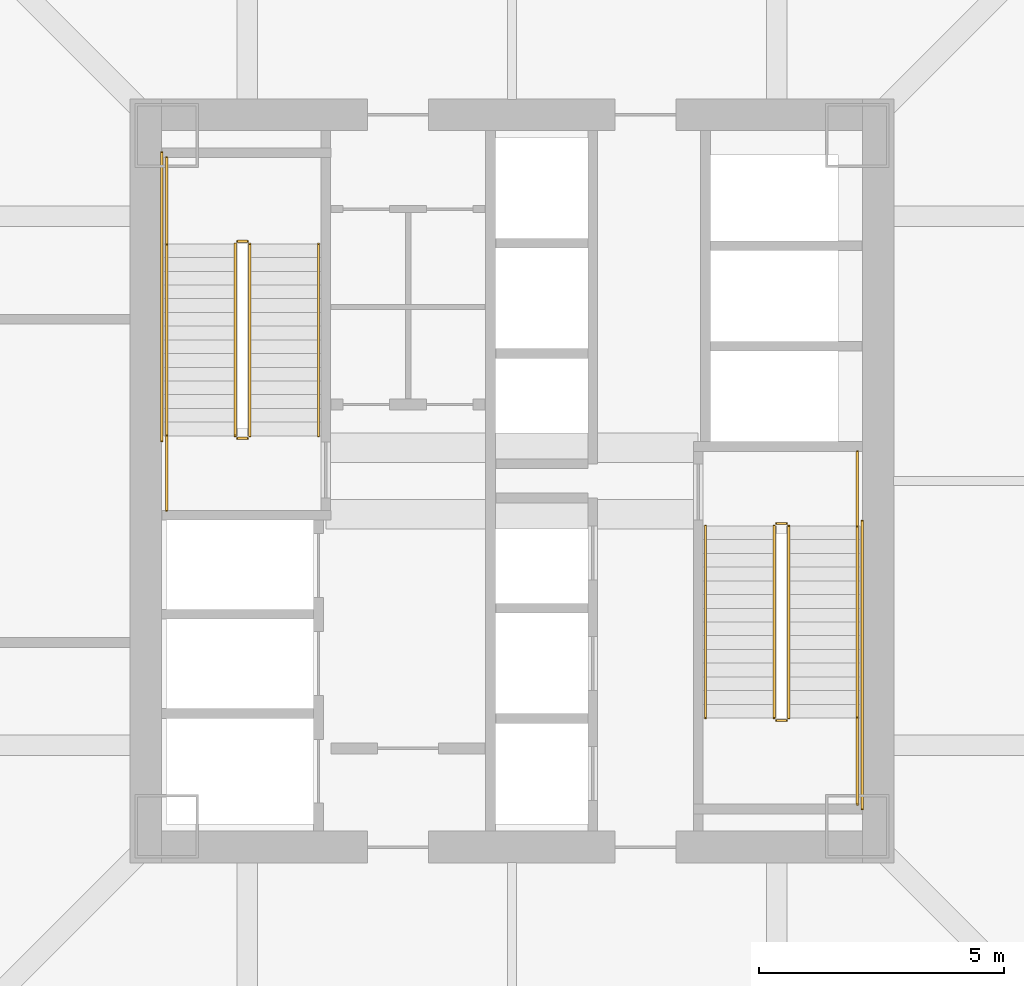
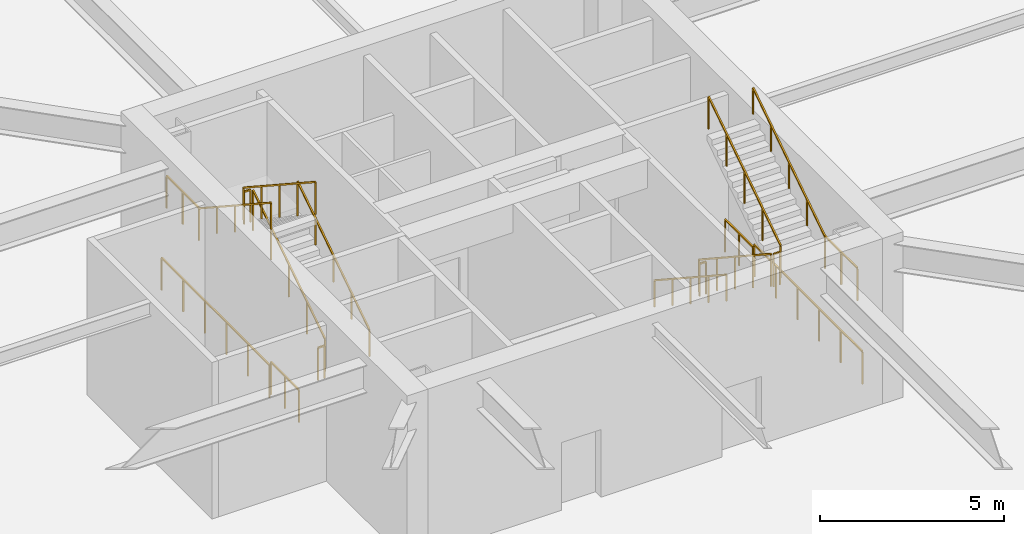
# One storey, part 14 of 17: 18 railings.
"""IFC4 building model written with IfcOpenShell, lengths in metres."""

from ifc_helpers import new_model, si_unit, direction, frame, origin, origin_2d, place, context, subcontext, project, spatial, rectangle, extrude, material, type_object, element, save


model = new_model("IFC4")

# Units and contexts
model_context = context("Model", 3, precision=1e-05, world=origin(), true_north=direction((0.0, 1.0)))
body_context = subcontext(model_context, "Body", "Model", "MODEL_VIEW")
ifc_project = project(units=[si_unit("LENGTHUNIT", "METRE"), si_unit("AREAUNIT", "SQUARE_METRE"), si_unit("VOLUMEUNIT", "CUBIC_METRE"), si_unit("PLANEANGLEUNIT", "RADIAN"), si_unit("MASSUNIT", "GRAM", prefix="KILO")], contexts=[model_context])

# Site, building, storey
site_placement = place(None, origin())
site = spatial("IfcSite", under=ifc_project, at=site_placement, CompositionType="ELEMENT")
building_placement = place(site_placement, origin())
building = spatial("IfcBuilding", under=site, at=building_placement, Name="Tashvorn Skyway Center", CompositionType="ELEMENT")
storey_placement = place(building_placement, frame((0.0, 0.0, -5.5)))
storey = spatial("IfcBuildingStorey", under=building, at=storey_placement, Name="B1", CompositionType="ELEMENT", Elevation=-5.5)

# Railings
ifc_material_1 = material(Name="Brushed stainless steel 316", Category="steel")
railing_type_1 = type_object("IfcRailingType", Name="RAIL-HAND-920", PredefinedType="HANDRAIL", material=ifc_material_1)
railing_1_placement = place(storey_placement, frame((38.050048828125, 32.919921875, 0.183349609375)))
element("IfcRailing", 1, at=railing_1_placement, inside=storey, type_object=railing_type_1, Name="B1 ST-T1-1 stair handrail 1", PredefinedType="HANDRAIL", context=body_context, shape_type="SweptSolid", body=[
    extrude(rectangle(XDim=0.048095703125, YDim=0.048095703125, at=origin_2d()), frame((0.0, 0.0, 0.8759765625), z_axis=(0.0, 0.836630751959, 0.54776727255), x_axis=(-1.0, 0.0, 0.0)), (0.0, 0.0, 1.0), 4.685546875),
    extrude(rectangle(XDim=0.0419921875, YDim=0.0419921875, at=origin_2d()), origin(), (0.0, 0.0, 1.0), 0.851806640625),
    extrude(rectangle(XDim=0.0419921875, YDim=0.0419921875, at=origin_2d()), frame((0.0, 0.97998046875, 0.6416015625)), (0.0, 0.0, 1.0), 0.851806640625),
    extrude(rectangle(XDim=0.0419921875, YDim=0.0419921875, at=origin_2d()), frame((0.0, 1.9599609375, 1.283203125)), (0.0, 0.0, 1.0), 0.851806640625),
    extrude(rectangle(XDim=0.0419921875, YDim=0.0419921875, at=origin_2d()), frame((0.0, 2.940185546875, 1.925048828125)), (0.0, 0.0, 1.0), 0.851806640625),
    extrude(rectangle(XDim=0.0419921875, YDim=0.0419921875, at=origin_2d()), frame((0.0, 3.920166015625, 2.566650390625)), (0.0, 0.0, 1.0), 0.851806640625),
])
for number, where, name in (
    (2, (34.949951171875, 36.840087890625, 2.933349609375), "B1 ST-T1-1 stair handrail 2"),
    (3, (45.949951171875, 31.080078125, 0.183349609375), "B1 ST-T1-2 stair handrail 1"),
):
    element("IfcRailing", number, at=place(storey_placement, frame(where)), inside=storey, type_object=railing_type_1, Name=name, PredefinedType="HANDRAIL", context=body_context, shape_type="SweptSolid", body=[
        extrude(rectangle(XDim=0.048095703125, YDim=0.048095703125, at=origin_2d()), frame((0.0, 0.0, 0.8759765625), z_axis=(0.0, -0.836630751959, 0.54776727255), x_axis=(1.0, 0.0, 0.0)), (0.0, 0.0, 1.0), 4.685546875),
        extrude(rectangle(XDim=0.0419921875, YDim=0.0419921875, at=origin_2d()), origin(), (0.0, 0.0, 1.0), 0.851806640625),
        extrude(rectangle(XDim=0.0419921875, YDim=0.0419921875, at=origin_2d()), frame((0.0, -0.97998046875, 0.6416015625)), (0.0, 0.0, 1.0), 0.851806640625),
        extrude(rectangle(XDim=0.0419921875, YDim=0.0419921875, at=origin_2d()), frame((0.0, -1.9599609375, 1.283203125)), (0.0, 0.0, 1.0), 0.851806640625),
        extrude(rectangle(XDim=0.0419921875, YDim=0.0419921875, at=origin_2d()), frame((0.0, -2.940185546875, 1.925048828125)), (0.0, 0.0, 1.0), 0.851806640625),
        extrude(rectangle(XDim=0.0419921875, YDim=0.0419921875, at=origin_2d()), frame((0.0, -3.920166015625, 2.566650390625)), (0.0, 0.0, 1.0), 0.851806640625),
    ])
railing_2_placement = place(storey_placement, frame((49.050048828125, 27.159912109375, 2.933349609375)))
element("IfcRailing", 4, at=railing_2_placement, inside=storey, type_object=railing_type_1, Name="B1 ST-T1-2 stair handrail 2", PredefinedType="HANDRAIL", context=body_context, shape_type="SweptSolid", body=[
    extrude(rectangle(XDim=0.048095703125, YDim=0.048095703125, at=origin_2d()), frame((0.0, 0.0, 0.8759765625), z_axis=(0.0, 0.836630751959, 0.54776727255), x_axis=(-1.0, 0.0, 0.0)), (0.0, 0.0, 1.0), 4.685546875),
    extrude(rectangle(XDim=0.0419921875, YDim=0.0419921875, at=origin_2d()), origin(), (0.0, 0.0, 1.0), 0.851806640625),
    extrude(rectangle(XDim=0.0419921875, YDim=0.0419921875, at=origin_2d()), frame((0.0, 0.97998046875, 0.6416015625)), (0.0, 0.0, 1.0), 0.851806640625),
    extrude(rectangle(XDim=0.0419921875, YDim=0.0419921875, at=origin_2d()), frame((0.0, 1.9599609375, 1.283203125)), (0.0, 0.0, 1.0), 0.851806640625),
    extrude(rectangle(XDim=0.0419921875, YDim=0.0419921875, at=origin_2d()), frame((0.0, 2.940185546875, 1.925048828125)), (0.0, 0.0, 1.0), 0.851806640625),
    extrude(rectangle(XDim=0.0419921875, YDim=0.0419921875, at=origin_2d()), frame((0.0, 3.920166015625, 2.566650390625)), (0.0, 0.0, 1.0), 0.851806640625),
])
ifc_material_2 = material(Name="Painted galvanized steel S355", Category="steel")
railing_type_2 = type_object("IfcRailingType", Name="RAIL-STGUARD-1100", PredefinedType="GUARDRAIL", material=ifc_material_2)
railing_3_placement = place(storey_placement, frame((36.64990234375, 32.919921875, 0.183349609375)))
element("IfcRailing", 5, at=railing_3_placement, inside=storey, type_object=railing_type_2, Name="B1 ST-T1-1 stair guard 1", PredefinedType="GUARDRAIL", context=body_context, shape_type="SweptSolid", body=[
    extrude(rectangle(XDim=0.048095703125, YDim=0.048095703125, at=origin_2d()), frame((0.0, 0.0, 1.076171875), z_axis=(0.0, 0.836630751959, 0.54776727255), x_axis=(-1.0, 0.0, 0.0)), (0.0, 0.0, 1.0), 4.685546875),
    extrude(rectangle(XDim=0.0419921875, YDim=0.0419921875, at=origin_2d()), origin(), (0.0, 0.0, 1.0), 1.052001953125),
    extrude(rectangle(XDim=0.0419921875, YDim=0.0419921875, at=origin_2d()), frame((0.0, 0.97998046875, 0.6416015625)), (0.0, 0.0, 1.0), 1.052001953125),
    extrude(rectangle(XDim=0.0419921875, YDim=0.0419921875, at=origin_2d()), frame((0.0, 1.9599609375, 1.283203125)), (0.0, 0.0, 1.0), 1.052001953125),
    extrude(rectangle(XDim=0.0419921875, YDim=0.0419921875, at=origin_2d()), frame((0.0, 2.940185546875, 1.925048828125)), (0.0, 0.0, 1.0), 1.052001953125),
    extrude(rectangle(XDim=0.0419921875, YDim=0.0419921875, at=origin_2d()), frame((0.0, 3.920166015625, 2.566650390625)), (0.0, 0.0, 1.0), 1.052001953125),
])
railing_4_placement = place(storey_placement, frame((36.60009765625, 36.889892578125, 2.75)))
element("IfcRailing", 6, at=railing_4_placement, inside=storey, type_object=railing_type_2, Name="B1 ST-T1-1 stair guard 2", PredefinedType="GUARDRAIL", context=body_context, shape_type="SweptSolid", body=[
    extrude(rectangle(XDim=0.048095703125, YDim=0.048095703125, at=origin_2d()), frame((0.0, 0.0, 1.076171875), z_axis=(-1.0, 0.0, 0.0), x_axis=(0.0, -1.0, 0.0)), (0.0, 0.0, 1.0), 0.2001953125),
    extrude(rectangle(XDim=0.0419921875, YDim=0.0419921875, at=origin_2d()), origin(), (0.0, 0.0, 1.0), 1.052001953125),
    extrude(rectangle(XDim=0.0419921875, YDim=0.0419921875, at=origin_2d()), frame((-0.2001953125, 0.0, 0.0)), (0.0, 0.0, 1.0), 1.052001953125),
])
railing_5_placement = place(storey_placement, frame((34.949951171875, 36.840087890625, 2.75)))
element("IfcRailing", 7, at=railing_5_placement, inside=storey, type_object=railing_type_2, Name="B1 ST-T1-1 stair guard 3", PredefinedType="GUARDRAIL", context=body_context, shape_type="SweptSolid", body=[
    extrude(rectangle(XDim=0.048095703125, YDim=0.048095703125, at=origin_2d()), frame((0.0, 0.0, 1.076171875), z_axis=(0.0, 1.0, 0.0), x_axis=(-1.0, 0.0, 0.0)), (0.0, 0.0, 1.0), 1.760009765625),
    extrude(rectangle(XDim=0.0419921875, YDim=0.0419921875, at=origin_2d()), origin(), (0.0, 0.0, 1.0), 1.052001953125),
    extrude(rectangle(XDim=0.0419921875, YDim=0.0419921875, at=origin_2d()), frame((0.0, 0.8798828125, 0.0)), (0.0, 0.0, 1.0), 1.052001953125),
    extrude(rectangle(XDim=0.0419921875, YDim=0.0419921875, at=origin_2d()), frame((0.0, 1.760009765625, 0.0)), (0.0, 0.0, 1.0), 1.052001953125),
])
railing_6_placement = place(storey_placement, frame((36.35009765625, 36.840087890625, 2.933349609375)))
element("IfcRailing", 8, at=railing_6_placement, inside=storey, type_object=railing_type_2, Name="B1 ST-T1-1 stair guard 4", PredefinedType="GUARDRAIL", context=body_context, shape_type="SweptSolid", body=[
    extrude(rectangle(XDim=0.048095703125, YDim=0.048095703125, at=origin_2d()), frame((0.0, 0.0, 1.076171875), z_axis=(0.0, -0.836630751959, 0.54776727255), x_axis=(1.0, 0.0, 0.0)), (0.0, 0.0, 1.0), 4.685546875),
    extrude(rectangle(XDim=0.0419921875, YDim=0.0419921875, at=origin_2d()), origin(), (0.0, 0.0, 1.0), 1.052001953125),
    extrude(rectangle(XDim=0.0419921875, YDim=0.0419921875, at=origin_2d()), frame((0.0, -0.97998046875, 0.6416015625)), (0.0, 0.0, 1.0), 1.052001953125),
    extrude(rectangle(XDim=0.0419921875, YDim=0.0419921875, at=origin_2d()), frame((0.0, -1.9599609375, 1.283203125)), (0.0, 0.0, 1.0), 1.052001953125),
    extrude(rectangle(XDim=0.0419921875, YDim=0.0419921875, at=origin_2d()), frame((0.0, -2.940185546875, 1.925048828125)), (0.0, 0.0, 1.0), 1.052001953125),
    extrude(rectangle(XDim=0.0419921875, YDim=0.0419921875, at=origin_2d()), frame((0.0, -3.920166015625, 2.566650390625)), (0.0, 0.0, 1.0), 1.052001953125),
])
railing_7_placement = place(storey_placement, frame((36.60009765625, 32.8701171875, 0.0)))
element("IfcRailing", 9, at=railing_7_placement, inside=storey, type_object=railing_type_2, Name="B1 ST-T1-1 stair guard 5", PredefinedType="GUARDRAIL", context=body_context, shape_type="SweptSolid", body=[
    extrude(rectangle(XDim=0.048095703125, YDim=0.048095703125, at=origin_2d()), frame((0.0, 0.0, 1.076171875), z_axis=(-1.0, 0.0, 0.0), x_axis=(0.0, -1.0, 0.0)), (0.0, 0.0, 1.0), 0.2001953125),
    extrude(rectangle(XDim=0.0419921875, YDim=0.0419921875, at=origin_2d()), origin(), (0.0, 0.0, 1.0), 1.052001953125),
    extrude(rectangle(XDim=0.0419921875, YDim=0.0419921875, at=origin_2d()), frame((-0.2001953125, 0.0, 0.0)), (0.0, 0.0, 1.0), 1.052001953125),
])
railing_8_placement = place(storey_placement, frame((34.949951171875, 31.39990234375, 0.0)))
element("IfcRailing", 10, at=railing_8_placement, inside=storey, type_object=railing_type_2, Name="B1 ST-T1-1 stair guard 6", PredefinedType="GUARDRAIL", context=body_context, shape_type="SweptSolid", body=[
    extrude(rectangle(XDim=0.048095703125, YDim=0.048095703125, at=origin_2d()), frame((0.0, 0.0, 1.076171875), z_axis=(0.0, 1.0, 0.0), x_axis=(-1.0, 0.0, 0.0)), (0.0, 0.0, 1.0), 1.52001953125),
    extrude(rectangle(XDim=0.0419921875, YDim=0.0419921875, at=origin_2d()), origin(), (0.0, 0.0, 1.0), 1.052001953125),
    extrude(rectangle(XDim=0.0419921875, YDim=0.0419921875, at=origin_2d()), frame((0.0, 0.760009765625, 0.0)), (0.0, 0.0, 1.0), 1.052001953125),
    extrude(rectangle(XDim=0.0419921875, YDim=0.0419921875, at=origin_2d()), frame((0.0, 1.52001953125, 0.0)), (0.0, 0.0, 1.0), 1.052001953125),
])
railing_9_placement = place(storey_placement, frame((34.85009765625, 32.820068359375, 0.0)))
element("IfcRailing", 11, at=railing_9_placement, inside=storey, type_object=railing_type_2, Name="B1 ST-T1-1 stair guard 7", PredefinedType="GUARDRAIL", context=body_context, shape_type="SweptSolid", body=[
    extrude(rectangle(XDim=0.048095703125, YDim=0.048095703125, at=origin_2d()), frame((0.0, 0.0, 1.076171875), z_axis=(0.0, 1.0, 0.0), x_axis=(-1.0, 0.0, 0.0)), (0.0, 0.0, 1.0), 5.8798828125),
    extrude(rectangle(XDim=0.0419921875, YDim=0.0419921875, at=origin_2d()), origin(), (0.0, 0.0, 1.0), 1.052001953125),
    extrude(rectangle(XDim=0.0419921875, YDim=0.0419921875, at=origin_2d()), frame((0.0, 1.176025390625, 0.0)), (0.0, 0.0, 1.0), 1.052001953125),
    extrude(rectangle(XDim=0.0419921875, YDim=0.0419921875, at=origin_2d()), frame((0.0, 2.35205078125, 0.0)), (0.0, 0.0, 1.0), 1.052001953125),
    extrude(rectangle(XDim=0.0419921875, YDim=0.0419921875, at=origin_2d()), frame((0.0, 3.52783203125, 0.0)), (0.0, 0.0, 1.0), 1.052001953125),
    extrude(rectangle(XDim=0.0419921875, YDim=0.0419921875, at=origin_2d()), frame((0.0, 4.703857421875, 0.0)), (0.0, 0.0, 1.0), 1.052001953125),
    extrude(rectangle(XDim=0.0419921875, YDim=0.0419921875, at=origin_2d()), frame((0.0, 5.8798828125, 0.0)), (0.0, 0.0, 1.0), 1.052001953125),
])
railing_10_placement = place(storey_placement, frame((47.35009765625, 31.080078125, 0.183349609375)))
element("IfcRailing", 12, at=railing_10_placement, inside=storey, type_object=railing_type_2, Name="B1 ST-T1-2 stair guard 1", PredefinedType="GUARDRAIL", context=body_context, shape_type="SweptSolid", body=[
    extrude(rectangle(XDim=0.048095703125, YDim=0.048095703125, at=origin_2d()), frame((0.0, 0.0, 1.076171875), z_axis=(0.0, -0.836630751959, 0.54776727255), x_axis=(1.0, 0.0, 0.0)), (0.0, 0.0, 1.0), 4.685546875),
    extrude(rectangle(XDim=0.0419921875, YDim=0.0419921875, at=origin_2d()), origin(), (0.0, 0.0, 1.0), 1.052001953125),
    extrude(rectangle(XDim=0.0419921875, YDim=0.0419921875, at=origin_2d()), frame((0.0, -0.97998046875, 0.6416015625)), (0.0, 0.0, 1.0), 1.052001953125),
    extrude(rectangle(XDim=0.0419921875, YDim=0.0419921875, at=origin_2d()), frame((0.0, -1.9599609375, 1.283203125)), (0.0, 0.0, 1.0), 1.052001953125),
    extrude(rectangle(XDim=0.0419921875, YDim=0.0419921875, at=origin_2d()), frame((0.0, -2.940185546875, 1.925048828125)), (0.0, 0.0, 1.0), 1.052001953125),
    extrude(rectangle(XDim=0.0419921875, YDim=0.0419921875, at=origin_2d()), frame((0.0, -3.920166015625, 2.566650390625)), (0.0, 0.0, 1.0), 1.052001953125),
])
railing_11_placement = place(storey_placement, frame((47.39990234375, 27.110107421875, 2.75)))
element("IfcRailing", 13, at=railing_11_placement, inside=storey, type_object=railing_type_2, Name="B1 ST-T1-2 stair guard 2", PredefinedType="GUARDRAIL", context=body_context, shape_type="SweptSolid", body=[
    extrude(rectangle(XDim=0.048095703125, YDim=0.048095703125, at=origin_2d()), frame((0.0, 0.0, 1.076171875), z_axis=(1.0, 0.0, 0.0), x_axis=(0.0, 1.0, 0.0)), (0.0, 0.0, 1.0), 0.2001953125),
    extrude(rectangle(XDim=0.0419921875, YDim=0.0419921875, at=origin_2d()), origin(), (0.0, 0.0, 1.0), 1.052001953125),
    extrude(rectangle(XDim=0.0419921875, YDim=0.0419921875, at=origin_2d()), frame((0.2001953125, 0.0, 0.0)), (0.0, 0.0, 1.0), 1.052001953125),
])
railing_12_placement = place(storey_placement, frame((49.050048828125, 27.159912109375, 2.75)))
element("IfcRailing", 14, at=railing_12_placement, inside=storey, type_object=railing_type_2, Name="B1 ST-T1-2 stair guard 3", PredefinedType="GUARDRAIL", context=body_context, shape_type="SweptSolid", body=[
    extrude(rectangle(XDim=0.048095703125, YDim=0.048095703125, at=origin_2d()), frame((0.0, 0.0, 1.076171875), z_axis=(0.0, -1.0, 0.0), x_axis=(1.0, 0.0, 0.0)), (0.0, 0.0, 1.0), 1.760009765625),
    extrude(rectangle(XDim=0.0419921875, YDim=0.0419921875, at=origin_2d()), origin(), (0.0, 0.0, 1.0), 1.052001953125),
    extrude(rectangle(XDim=0.0419921875, YDim=0.0419921875, at=origin_2d()), frame((0.0, -0.8798828125, 0.0)), (0.0, 0.0, 1.0), 1.052001953125),
    extrude(rectangle(XDim=0.0419921875, YDim=0.0419921875, at=origin_2d()), frame((0.0, -1.760009765625, 0.0)), (0.0, 0.0, 1.0), 1.052001953125),
])
railing_13_placement = place(storey_placement, frame((47.64990234375, 27.159912109375, 2.933349609375)))
element("IfcRailing", 15, at=railing_13_placement, inside=storey, type_object=railing_type_2, Name="B1 ST-T1-2 stair guard 4", PredefinedType="GUARDRAIL", context=body_context, shape_type="SweptSolid", body=[
    extrude(rectangle(XDim=0.048095703125, YDim=0.048095703125, at=origin_2d()), frame((0.0, 0.0, 1.076171875), z_axis=(0.0, 0.836630751959, 0.54776727255), x_axis=(-1.0, 0.0, 0.0)), (0.0, 0.0, 1.0), 4.685546875),
    extrude(rectangle(XDim=0.0419921875, YDim=0.0419921875, at=origin_2d()), origin(), (0.0, 0.0, 1.0), 1.052001953125),
    extrude(rectangle(XDim=0.0419921875, YDim=0.0419921875, at=origin_2d()), frame((0.0, 0.97998046875, 0.6416015625)), (0.0, 0.0, 1.0), 1.052001953125),
    extrude(rectangle(XDim=0.0419921875, YDim=0.0419921875, at=origin_2d()), frame((0.0, 1.9599609375, 1.283203125)), (0.0, 0.0, 1.0), 1.052001953125),
    extrude(rectangle(XDim=0.0419921875, YDim=0.0419921875, at=origin_2d()), frame((0.0, 2.940185546875, 1.925048828125)), (0.0, 0.0, 1.0), 1.052001953125),
    extrude(rectangle(XDim=0.0419921875, YDim=0.0419921875, at=origin_2d()), frame((0.0, 3.920166015625, 2.566650390625)), (0.0, 0.0, 1.0), 1.052001953125),
])
railing_14_placement = place(storey_placement, frame((47.39990234375, 31.1298828125, 0.0)))
element("IfcRailing", 16, at=railing_14_placement, inside=storey, type_object=railing_type_2, Name="B1 ST-T1-2 stair guard 5", PredefinedType="GUARDRAIL", context=body_context, shape_type="SweptSolid", body=[
    extrude(rectangle(XDim=0.048095703125, YDim=0.048095703125, at=origin_2d()), frame((0.0, 0.0, 1.076171875), z_axis=(1.0, 0.0, 0.0), x_axis=(0.0, 1.0, 0.0)), (0.0, 0.0, 1.0), 0.2001953125),
    extrude(rectangle(XDim=0.0419921875, YDim=0.0419921875, at=origin_2d()), origin(), (0.0, 0.0, 1.0), 1.052001953125),
    extrude(rectangle(XDim=0.0419921875, YDim=0.0419921875, at=origin_2d()), frame((0.2001953125, 0.0, 0.0)), (0.0, 0.0, 1.0), 1.052001953125),
])
railing_15_placement = place(storey_placement, frame((49.050048828125, 32.60009765625, 0.0)))
element("IfcRailing", 17, at=railing_15_placement, inside=storey, type_object=railing_type_2, Name="B1 ST-T1-2 stair guard 6", PredefinedType="GUARDRAIL", context=body_context, shape_type="SweptSolid", body=[
    extrude(rectangle(XDim=0.048095703125, YDim=0.048095703125, at=origin_2d()), frame((0.0, 0.0, 1.076171875), z_axis=(0.0, -1.0, 0.0), x_axis=(1.0, 0.0, 0.0)), (0.0, 0.0, 1.0), 1.52001953125),
    extrude(rectangle(XDim=0.0419921875, YDim=0.0419921875, at=origin_2d()), origin(), (0.0, 0.0, 1.0), 1.052001953125),
    extrude(rectangle(XDim=0.0419921875, YDim=0.0419921875, at=origin_2d()), frame((0.0, -0.760009765625, 0.0)), (0.0, 0.0, 1.0), 1.052001953125),
    extrude(rectangle(XDim=0.0419921875, YDim=0.0419921875, at=origin_2d()), frame((0.0, -1.52001953125, 0.0)), (0.0, 0.0, 1.0), 1.052001953125),
])
railing_16_placement = place(storey_placement, frame((49.14990234375, 31.179931640625, 0.0)))
element("IfcRailing", 18, at=railing_16_placement, inside=storey, type_object=railing_type_2, Name="B1 ST-T1-2 stair guard 7", PredefinedType="GUARDRAIL", context=body_context, shape_type="SweptSolid", body=[
    extrude(rectangle(XDim=0.048095703125, YDim=0.048095703125, at=origin_2d()), frame((0.0, 0.0, 1.076171875), z_axis=(0.0, -1.0, 0.0), x_axis=(1.0, 0.0, 0.0)), (0.0, 0.0, 1.0), 5.8798828125),
    extrude(rectangle(XDim=0.0419921875, YDim=0.0419921875, at=origin_2d()), origin(), (0.0, 0.0, 1.0), 1.052001953125),
    extrude(rectangle(XDim=0.0419921875, YDim=0.0419921875, at=origin_2d()), frame((0.0, -1.176025390625, 0.0)), (0.0, 0.0, 1.0), 1.052001953125),
    extrude(rectangle(XDim=0.0419921875, YDim=0.0419921875, at=origin_2d()), frame((0.0, -2.35205078125, 0.0)), (0.0, 0.0, 1.0), 1.052001953125),
    extrude(rectangle(XDim=0.0419921875, YDim=0.0419921875, at=origin_2d()), frame((0.0, -3.52783203125, 0.0)), (0.0, 0.0, 1.0), 1.052001953125),
    extrude(rectangle(XDim=0.0419921875, YDim=0.0419921875, at=origin_2d()), frame((0.0, -4.703857421875, 0.0)), (0.0, 0.0, 1.0), 1.052001953125),
    extrude(rectangle(XDim=0.0419921875, YDim=0.0419921875, at=origin_2d()), frame((0.0, -5.8798828125, 0.0)), (0.0, 0.0, 1.0), 1.052001953125),
])

save(model, "model.ifc")
